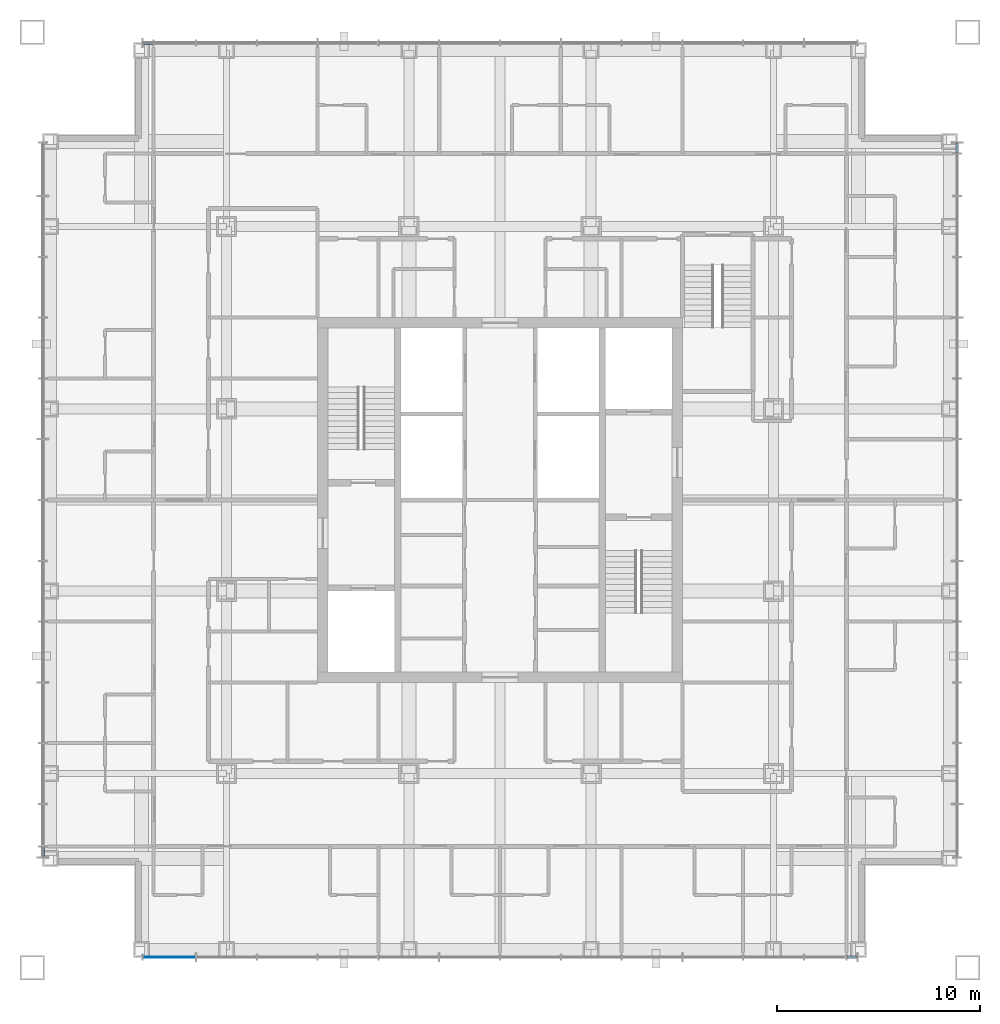
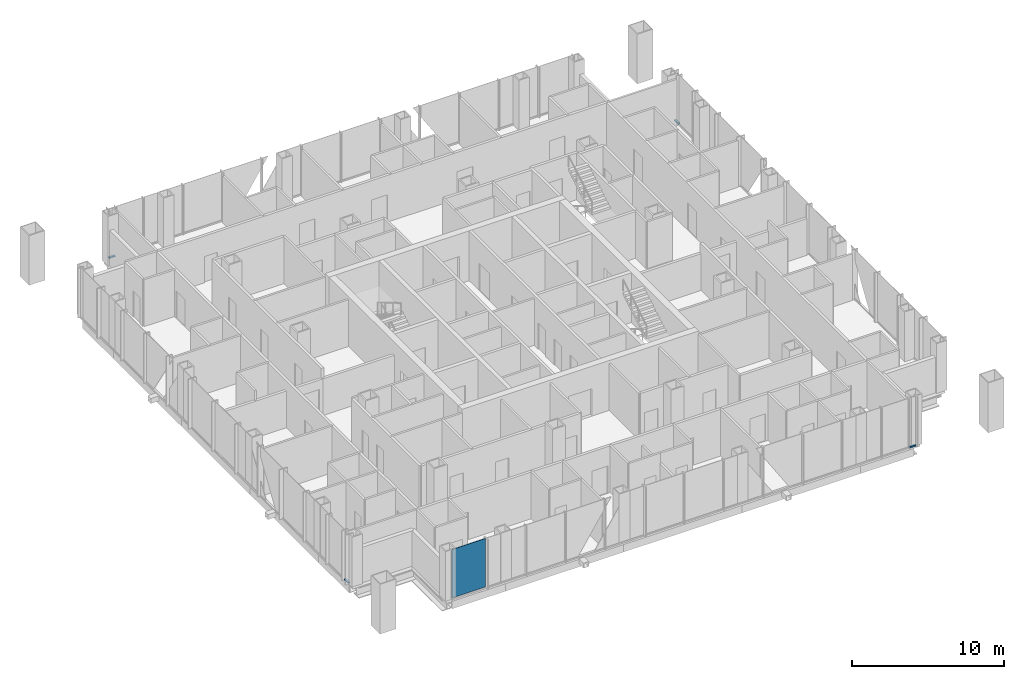
# One storey, part 6 of 20: 4 members, 1 plate, 4 elements without a shape of their own.
"""IFC4 building model written with IfcOpenShell, lengths in metres."""

from ifc_helpers import new_model, si_unit, direction, frame, origin, origin_2d, place, context, subcontext, project, spatial, rectangle, extrude, material, layer, layer_set, material_profile, profile_set, type_object, element, aggregate, save


model = new_model("IFC4")

# Units and contexts
model_context = context("Model", 3, precision=1e-05, world=origin(), true_north=direction((0.0, 1.0)))
body_context = subcontext(model_context, "Body", "Model", "MODEL_VIEW")
ifc_project = project(units=[si_unit("LENGTHUNIT", "METRE"), si_unit("AREAUNIT", "SQUARE_METRE"), si_unit("VOLUMEUNIT", "CUBIC_METRE"), si_unit("PLANEANGLEUNIT", "RADIAN"), si_unit("MASSUNIT", "GRAM", prefix="KILO")], contexts=[model_context])

# Site, building, storey
site_placement = place(None, origin())
site = spatial("IfcSite", under=ifc_project, at=site_placement, CompositionType="ELEMENT")
building_placement = place(site_placement, origin())
building = spatial("IfcBuilding", under=site, at=building_placement, Name="Malebo Sky Hospital", CompositionType="ELEMENT")
storey_placement = place(building_placement, frame((0.0, 0.0, 233.0)))
storey = spatial("IfcBuildingStorey", under=building, at=storey_placement, Name="L56", CompositionType="ELEMENT", Elevation=233.0)

# Curtain wall, member
ifc_material_1 = material(Name="Anodised aluminium, natural silver", Category="aluminium")
ifc_layer_1 = layer(ifc_material_1, 0.25)
ifc_layer_set_1 = layer_set([ifc_layer_1], Name="WARD CURTAIN WALL NORTH AND SOUTH")
curtain_wall_type_1 = type_object("IfcCurtainWallType", Name="WARD CURTAIN WALL NORTH AND SOUTH", PredefinedType="NOTDEFINED", material=ifc_layer_set_1)
curtain_wall_1_placement = place(storey_placement, origin())
curtain_wall_1 = element("IfcCurtainWall", 1, at=curtain_wall_1_placement, inside=storey, type_object=curtain_wall_type_1, Name="NS curtain wall N", PredefinedType="NOTDEFINED")
ifc_material_profile = material_profile(ifc_material_1, rectangle(XDim=0.14990234375, YDim=0.10009765625, at=origin_2d()), Name="ALUMINIUM TRANSOM 150x100")
ifc_profile_set = profile_set([ifc_material_profile], Name="Anodised aluminium, natural silver")
member_type = type_object("IfcMemberType", Name="ALUMINIUM TRANSOM 150x100", PredefinedType="USERDEFINED", material=ifc_profile_set)
member_1_placement = place(storey_placement, frame((42.375, 84.574951171875, 0.050048828125), z_axis=(1.0, 0.0, 0.0), x_axis=(0.0, 1.0, 0.0)))
member_1 = element("IfcMember", 2, at=member_1_placement, type_object=member_type, Name="Transom 1", ObjectType="TRANSOM", PredefinedType="USERDEFINED", context=body_context, shape_type="SweptSolid", body=[
    extrude(rectangle(XDim=0.14990234375, YDim=0.10009765625, at=origin_2d()), origin(), (0.0, 0.0, 1.0), 0.487548828125),
])
aggregate(curtain_wall_1, [member_1])

ifc_layer_2 = layer(ifc_material_1, 0.25)
ifc_layer_set_2 = layer_set([ifc_layer_2], Name="WARD CURTAIN WALL EAST AND WEST")
curtain_wall_type_2 = type_object("IfcCurtainWallType", Name="WARD CURTAIN WALL EAST AND WEST", PredefinedType="NOTDEFINED", material=ifc_layer_set_2)
curtain_wall_2_placement = place(storey_placement, origin())
curtain_wall_2 = element("IfcCurtainWall", 3, at=curtain_wall_2_placement, inside=storey, type_object=curtain_wall_type_2, Name="EW curtain wall W", PredefinedType="NOTDEFINED")
member_2_placement = place(storey_placement, frame((37.425048828125, 44.375, 0.050048828125), z_axis=(0.0, 1.0, 0.0), x_axis=(-1.0, 0.0, 0.0)))
member_2 = element("IfcMember", 4, at=member_2_placement, type_object=member_type, Name="Transom 1", ObjectType="TRANSOM", PredefinedType="USERDEFINED", context=body_context, shape_type="SweptSolid", body=[
    extrude(rectangle(XDim=0.14990234375, YDim=0.10009765625, at=origin_2d()), origin(), (0.0, 0.0, 1.0), 0.487548828125),
])
aggregate(curtain_wall_2, [member_2])

curtain_wall_3_placement = place(storey_placement, origin())
curtain_wall_3 = element("IfcCurtainWall", 5, at=curtain_wall_3_placement, inside=storey, type_object=curtain_wall_type_1, Name="NS curtain wall S", PredefinedType="NOTDEFINED")
member_3_placement = place(storey_placement, frame((77.625, 39.425048828125, 0.050048828125), z_axis=(-1.0, 0.0, 0.0), x_axis=(0.0, -1.0, 0.0)))
member_3 = element("IfcMember", 6, at=member_3_placement, type_object=member_type, Name="Transom 1", ObjectType="TRANSOM", PredefinedType="USERDEFINED", context=body_context, shape_type="SweptSolid", body=[
    extrude(rectangle(XDim=0.14990234375, YDim=0.10009765625, at=origin_2d()), origin(), (0.0, 0.0, 1.0), 0.487548828125),
])

curtain_wall_4_placement = place(storey_placement, origin())
curtain_wall_4 = element("IfcCurtainWall", 7, at=curtain_wall_4_placement, inside=storey, type_object=curtain_wall_type_2, Name="EW curtain wall E", PredefinedType="NOTDEFINED")
member_4_placement = place(storey_placement, frame((82.574951171875, 79.625, 0.050048828125), z_axis=(0.0, -1.0, 0.0), x_axis=(1.0, 0.0, 0.0)))
member_4 = element("IfcMember", 8, at=member_4_placement, type_object=member_type, Name="Transom 1", ObjectType="TRANSOM", PredefinedType="USERDEFINED", context=body_context, shape_type="SweptSolid", body=[
    extrude(rectangle(XDim=0.14990234375, YDim=0.10009765625, at=origin_2d()), origin(), (0.0, 0.0, 1.0), 0.487548828125),
])
aggregate(curtain_wall_4, [member_4])

# Plate
ifc_material_2 = material(Name="Clear low-iron double glazing", Category="glass")
ifc_layer_3 = layer(ifc_material_2, 0.031982421875)
ifc_layer_set_3 = layer_set([ifc_layer_3], Name="VISION PANEL CLEAR 32")
plate_type = type_object("IfcPlateType", Name="VISION PANEL CLEAR 32", PredefinedType="CURTAIN_PANEL", material=ifc_layer_set_3)
plate_placement = place(storey_placement, frame((43.668701171875, 39.425048828125, 0.10009765625), z_axis=(0.0, 0.0, 1.0), x_axis=(-1.0, 0.0, 0.0)))
plate = element("IfcPlate", 9, at=plate_placement, type_object=plate_type, Name="Panel 13", PredefinedType="CURTAIN_PANEL", context=body_context, shape_type="SweptSolid", body=[
    extrude(rectangle(XDim=2.58740234375, YDim=0.031982421875, at=origin_2d()), origin(), (0.0, 0.0, 1.0), 3.889892578125),
])

aggregate(curtain_wall_3, [member_3, plate])

save(model, "model.ifc")
